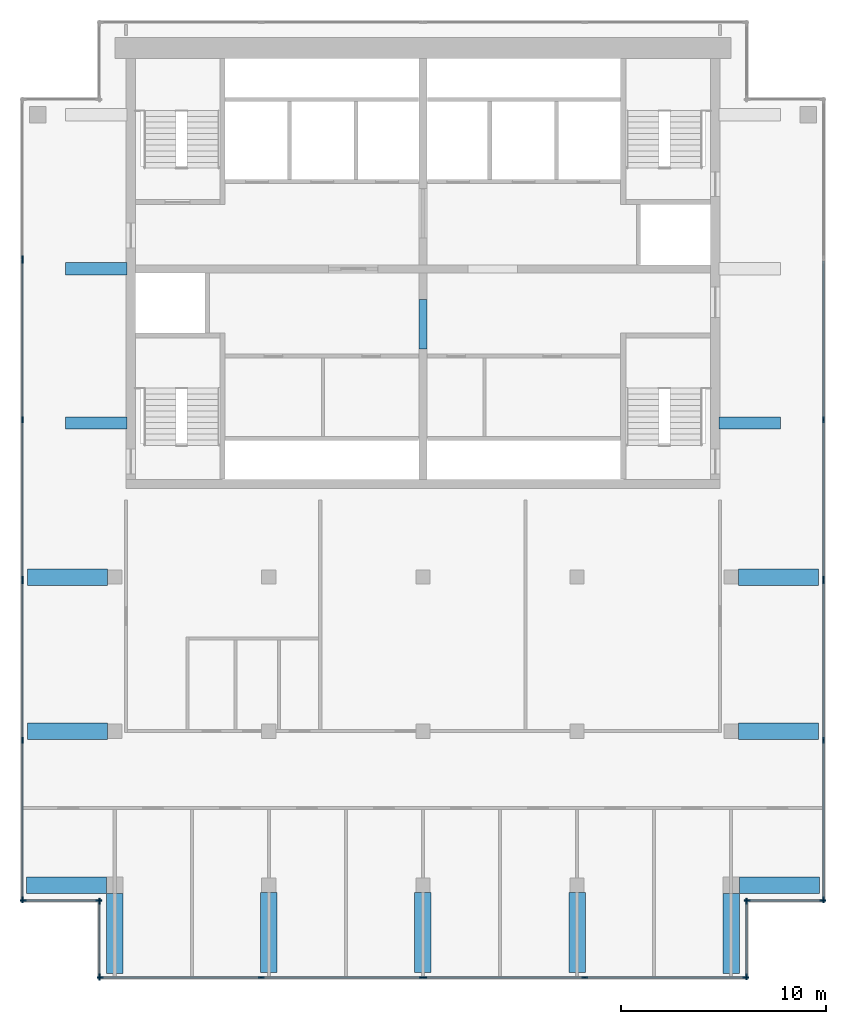
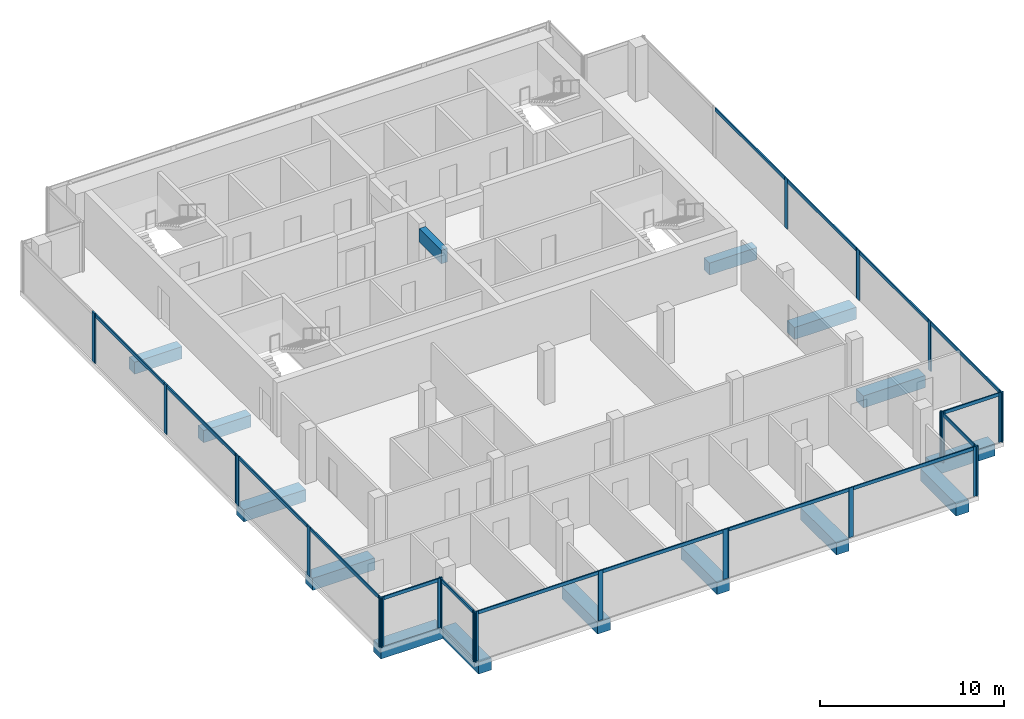
# One storey, part 2 of 8: 42 members, 15 beams, 11 elements without a shape of their own.
"""IFC4 building model written with IfcOpenShell, lengths in metres."""

from ifc_helpers import new_model, si_unit, direction, frame, origin, origin_2d, place, context, subcontext, project, spatial, rectangle, extrude, material, material_profile, profile_set, type_object, element, aggregate, save


model = new_model("IFC4")

# Units and contexts
model_context = context("Model", 3, precision=1e-05, world=origin(), true_north=direction((0.0, 1.0)))
body_context = subcontext(model_context, "Body", "Model", "MODEL_VIEW")
ifc_project = project(units=[si_unit("LENGTHUNIT", "METRE"), si_unit("AREAUNIT", "SQUARE_METRE"), si_unit("VOLUMEUNIT", "CUBIC_METRE"), si_unit("PLANEANGLEUNIT", "RADIAN"), si_unit("MASSUNIT", "GRAM", prefix="KILO")], contexts=[model_context])

# Site, building, storey
site_placement = place(None, origin())
site = spatial("IfcSite", under=ifc_project, at=site_placement, CompositionType="ELEMENT")
building_placement = place(site_placement, origin())
building = spatial("IfcBuilding", under=site, at=building_placement, Name="Pilkhan Gate Tower", CompositionType="ELEMENT")
storey_placement = place(building_placement, frame((0.0, 0.0, 269.300048828125)))
storey = spatial("IfcBuildingStorey", under=building, at=storey_placement, Name="L70", CompositionType="ELEMENT", Elevation=269.300048828125)

# Beams
ifc_material_1 = material(Name="Concrete C50/60", Category="concrete")
ifc_material_profile_1 = material_profile(ifc_material_1, rectangle(XDim=0.60009765625, YDim=0.800048828125, at=origin_2d()), Name="RC 600x800")
ifc_profile_set_1 = profile_set([ifc_material_profile_1], Name="Concrete C50/60")
beam_type_1 = type_object("IfcBeamType", Name="Cantilever beam CB1 RC 600x800 C50/60", PredefinedType="BEAM", material=ifc_profile_set_1)
for number, where, z_axis, x_axis, name in (
    (1, (89.39990234375, 75.0, -0.699951171875), (1.0, 0.0, 0.0), (0.0, 1.0, 0.0), "Crown cantilever beam E9 L70"),
    (2, (60.60009765625, 75.0, -0.699951171875), (-1.0, 0.0, 0.0), (0.0, -1.0, 0.0), "Crown cantilever beam W15 L70"),
    (3, (60.60009765625, 82.5, -0.699951171875), (-1.0, 0.0, 0.0), (0.0, -1.0, 0.0), "Crown cantilever beam W16 L70"),
):
    element("IfcBeam", number, at=place(storey_placement, frame(where, z_axis=z_axis, x_axis=x_axis)), inside=storey, type_object=beam_type_1, Name=name, PredefinedType="BEAM", context=body_context, shape_type="SweptSolid", body=[
        extrude(rectangle(XDim=0.60009765625, YDim=0.800048828125, at=origin_2d()), origin(), (0.0, 0.0, 1.0), 3.0),
    ])
ifc_material_profile_2 = material_profile(ifc_material_1, rectangle(XDim=0.800048828125, YDim=0.800048828125, at=origin_2d()), Name="RC 800x800")
ifc_profile_set_2 = profile_set([ifc_material_profile_2], Name="Concrete C50/60")
beam_type_2 = type_object("IfcBeamType", Name="Cantilever beam CB2 RC 800x800 C50/60", PredefinedType="BEAM", material=ifc_profile_set_2)
beam_1_placement = place(storey_placement, frame((60.0, 52.10009765625, -0.699951171875), z_axis=(0.0, -1.0, 0.0), x_axis=(1.0, 0.0, 0.0)))
element("IfcBeam", 4, at=beam_1_placement, inside=storey, type_object=beam_type_2, Name="Crown cantilever beam S1 L70", PredefinedType="BEAM", context=body_context, shape_type="SweptSolid", body=[
    extrude(rectangle(XDim=0.800048828125, YDim=0.800048828125, at=origin_2d()), origin(), (0.0, 0.0, 1.0), 3.900146484375),
])
for number, where, z_axis, x_axis, name in (
    (5, (67.5, 52.14990234375, -0.699951171875), (0.0, -1.0, 0.0), (1.0, 0.0, 0.0), "Crown cantilever beam S2 L70"),
    (6, (75.0, 52.14990234375, -0.699951171875), (0.0, -1.0, 0.0), (1.0, 0.0, 0.0), "Crown cantilever beam S3 L70"),
    (7, (82.5, 52.14990234375, -0.699951171875), (0.0, -1.0, 0.0), (1.0, 0.0, 0.0), "Crown cantilever beam S4 L70"),
):
    element("IfcBeam", number, at=place(storey_placement, frame(where, z_axis=z_axis, x_axis=x_axis)), inside=storey, type_object=beam_type_2, Name=name, PredefinedType="BEAM", context=body_context, shape_type="SweptSolid", body=[
        extrude(rectangle(XDim=0.800048828125, YDim=0.800048828125, at=origin_2d()), origin(), (0.0, 0.0, 1.0), 3.89990234375),
    ])
for number, where, z_axis, x_axis, name in (
    (8, (90.0, 52.10009765625, -0.699951171875), (0.0, -1.0, 0.0), (1.0, 0.0, 0.0), "Crown cantilever beam S5 L70"),
    (9, (90.39990234375, 52.5, -0.699951171875), (1.0, 0.0, 0.0), (0.0, 1.0, 0.0), "Crown cantilever beam E6 L70"),
):
    element("IfcBeam", number, at=place(storey_placement, frame(where, z_axis=z_axis, x_axis=x_axis)), inside=storey, type_object=beam_type_2, Name=name, PredefinedType="BEAM", context=body_context, shape_type="SweptSolid", body=[
        extrude(rectangle(XDim=0.800048828125, YDim=0.800048828125, at=origin_2d()), origin(), (0.0, 0.0, 1.0), 3.900146484375),
    ])
for number, where, z_axis, x_axis, name in (
    (10, (90.35009765625, 60.0, -0.699951171875), (1.0, 0.0, 0.0), (0.0, 1.0, 0.0), "Crown cantilever beam E7 L70"),
    (11, (90.35009765625, 67.5, -0.699951171875), (1.0, 0.0, 0.0), (0.0, 1.0, 0.0), "Crown cantilever beam E8 L70"),
):
    element("IfcBeam", number, at=place(storey_placement, frame(where, z_axis=z_axis, x_axis=x_axis)), inside=storey, type_object=beam_type_2, Name=name, PredefinedType="BEAM", context=body_context, shape_type="SweptSolid", body=[
        extrude(rectangle(XDim=0.800048828125, YDim=0.800048828125, at=origin_2d()), origin(), (0.0, 0.0, 1.0), 3.89990234375),
    ])
beam_2_placement = place(storey_placement, frame((59.60009765625, 52.5, -0.699951171875), z_axis=(-1.0, 0.0, 0.0), x_axis=(0.0, -1.0, 0.0)))
element("IfcBeam", 12, at=beam_2_placement, inside=storey, type_object=beam_type_2, Name="Crown cantilever beam W12 L70", PredefinedType="BEAM", context=body_context, shape_type="SweptSolid", body=[
    extrude(rectangle(XDim=0.800048828125, YDim=0.800048828125, at=origin_2d()), origin(), (0.0, 0.0, 1.0), 3.900146484375),
])
for number, where, z_axis, x_axis, name in (
    (13, (59.64990234375, 60.0, -0.699951171875), (-1.0, 0.0, 0.0), (0.0, -1.0, 0.0), "Crown cantilever beam W13 L70"),
    (14, (59.64990234375, 67.5, -0.699951171875), (-1.0, 0.0, 0.0), (0.0, -1.0, 0.0), "Crown cantilever beam W14 L70"),
):
    element("IfcBeam", number, at=place(storey_placement, frame(where, z_axis=z_axis, x_axis=x_axis)), inside=storey, type_object=beam_type_2, Name=name, PredefinedType="BEAM", context=body_context, shape_type="SweptSolid", body=[
        extrude(rectangle(XDim=0.800048828125, YDim=0.800048828125, at=origin_2d()), origin(), (0.0, 0.0, 1.0), 3.89990234375),
    ])
ifc_material_profile_3 = material_profile(ifc_material_1, rectangle(XDim=0.39990234375, YDim=0.89990234375, at=origin_2d()), Name="RC 400x900")
ifc_profile_set_3 = profile_set([ifc_material_profile_3], Name="Concrete C50/60")
beam_type_3 = type_object("IfcBeamType", Name="Coupling beam CB90-4 RC 400x900 C50/60", PredefinedType="LINTEL", material=ifc_profile_set_3)
beam_3_placement = place(storey_placement, frame((75.0, 78.60009765625, 2.849853515625), z_axis=(0.0, 1.0, 0.0), x_axis=(-1.0, 0.0, 0.0)))
element("IfcBeam", 15, at=beam_3_placement, inside=storey, type_object=beam_type_3, Name="Coupling beam 3 L70", PredefinedType="LINTEL", context=body_context, shape_type="SweptSolid", body=[
    extrude(rectangle(XDim=0.39990234375, YDim=0.89990234375, at=origin_2d()), origin(), (0.0, 0.0, 1.0), 2.39990234375),
])

# Curtain wall, members
ifc_material_2 = material(Name="Pale anodised aluminium, clear low-iron double glazing", Category="aluminium")
curtain_wall_type = type_object("IfcCurtainWallType", Name="Crown unitised curtain wall CW-C", PredefinedType="USERDEFINED", material=ifc_material_2)
curtain_wall_1_placement = place(storey_placement, origin())
curtain_wall_1 = element("IfcCurtainWall", 16, at=curtain_wall_1_placement, inside=storey, type_object=curtain_wall_type, Name="Crown unitised curtain wall CW-C L70 E", ObjectType="UNITISED CURTAIN WALL", PredefinedType="USERDEFINED")
ifc_material_3 = material(Name="Pale anodised aluminium", Category="aluminium")
ifc_material_profile_4 = material_profile(ifc_material_3, rectangle(XDim=0.074951171875, YDim=0.300048828125, at=origin_2d()), Name="Mullion 300x75")
ifc_profile_set_4 = profile_set([ifc_material_profile_4], Name="Pale anodised aluminium")
member_type_1 = type_object("IfcMemberType", Name="Mullion CW-C 300x75", PredefinedType="MULLION", material=ifc_profile_set_4)
member_1_placement = place(storey_placement, frame((94.5, 51.78759765625, 0.0), z_axis=(0.0, 0.0, 1.0), x_axis=(-1.0, 0.0, 0.0)))
member_1 = element("IfcMember", 17, at=member_1_placement, type_object=member_type_1, Name="CW-C mullion 1", PredefinedType="MULLION", context=body_context, shape_type="SweptSolid", body=[
    extrude(rectangle(XDim=0.074951171875, YDim=0.300048828125, at=origin_2d()), origin(), (0.0, 0.0, 1.0), 3.300048828125),
])
member_2_placement = place(storey_placement, frame((94.5, 59.550048828125, 0.0), z_axis=(0.0, 0.0, 1.0), x_axis=(-1.0, 0.0, 0.0)))
member_2 = element("IfcMember", 18, at=member_2_placement, type_object=member_type_1, Name="CW-C mullion 2", PredefinedType="MULLION", context=body_context, shape_type="SweptSolid", body=[
    extrude(rectangle(XDim=0.074951171875, YDim=0.300048828125, at=origin_2d()), origin(), (0.0, 0.0, 1.0), 3.300048828125),
])
member_3_placement = place(storey_placement, frame((94.5, 67.3125, 0.0), z_axis=(0.0, 0.0, 1.0), x_axis=(-1.0, 0.0, 0.0)))
member_3 = element("IfcMember", 19, at=member_3_placement, type_object=member_type_1, Name="CW-C mullion 3", PredefinedType="MULLION", context=body_context, shape_type="SweptSolid", body=[
    extrude(rectangle(XDim=0.074951171875, YDim=0.300048828125, at=origin_2d()), origin(), (0.0, 0.0, 1.0), 3.300048828125),
])

curtain_wall_2_placement = place(storey_placement, origin())
curtain_wall_2 = element("IfcCurtainWall", 20, at=curtain_wall_2_placement, inside=storey, type_object=curtain_wall_type, Name="Crown unitised curtain wall CW-C L70 E", ObjectType="UNITISED CURTAIN WALL", PredefinedType="USERDEFINED")
member_4_placement = place(storey_placement, frame((94.5, 67.387451171875, 0.0), z_axis=(0.0, 0.0, 1.0), x_axis=(-1.0, 0.0, 0.0)))
member_4 = element("IfcMember", 21, at=member_4_placement, type_object=member_type_1, Name="CW-C mullion 1", PredefinedType="MULLION", context=body_context, shape_type="SweptSolid", body=[
    extrude(rectangle(XDim=0.074951171875, YDim=0.300048828125, at=origin_2d()), origin(), (0.0, 0.0, 1.0), 3.300048828125),
])
member_5_placement = place(storey_placement, frame((94.5, 75.14990234375, 0.0), z_axis=(0.0, 0.0, 1.0), x_axis=(-1.0, 0.0, 0.0)))
member_5 = element("IfcMember", 22, at=member_5_placement, type_object=member_type_1, Name="CW-C mullion 2", PredefinedType="MULLION", context=body_context, shape_type="SweptSolid", body=[
    extrude(rectangle(XDim=0.074951171875, YDim=0.300048828125, at=origin_2d()), origin(), (0.0, 0.0, 1.0), 3.300048828125),
])

curtain_wall_3_placement = place(storey_placement, origin())
curtain_wall_3 = element("IfcCurtainWall", 23, at=curtain_wall_3_placement, inside=storey, type_object=curtain_wall_type, Name="Crown unitised curtain wall CW-C L70 W", ObjectType="UNITISED CURTAIN WALL", PredefinedType="USERDEFINED")
member_6_placement = place(storey_placement, frame((55.5, 51.78759765625, 0.0), z_axis=(0.0, 0.0, 1.0), x_axis=(-1.0, 0.0, 0.0)))
member_6 = element("IfcMember", 24, at=member_6_placement, type_object=member_type_1, Name="CW-C mullion 1", PredefinedType="MULLION", context=body_context, shape_type="SweptSolid", body=[
    extrude(rectangle(XDim=0.074951171875, YDim=0.300048828125, at=origin_2d()), origin(), (0.0, 0.0, 1.0), 3.300048828125),
])
member_7_placement = place(storey_placement, frame((55.5, 59.550048828125, 0.0), z_axis=(0.0, 0.0, 1.0), x_axis=(-1.0, 0.0, 0.0)))
member_7 = element("IfcMember", 25, at=member_7_placement, type_object=member_type_1, Name="CW-C mullion 2", PredefinedType="MULLION", context=body_context, shape_type="SweptSolid", body=[
    extrude(rectangle(XDim=0.074951171875, YDim=0.300048828125, at=origin_2d()), origin(), (0.0, 0.0, 1.0), 3.300048828125),
])
member_8_placement = place(storey_placement, frame((55.5, 67.3125, 0.0), z_axis=(0.0, 0.0, 1.0), x_axis=(-1.0, 0.0, 0.0)))
member_8 = element("IfcMember", 26, at=member_8_placement, type_object=member_type_1, Name="CW-C mullion 3", PredefinedType="MULLION", context=body_context, shape_type="SweptSolid", body=[
    extrude(rectangle(XDim=0.074951171875, YDim=0.300048828125, at=origin_2d()), origin(), (0.0, 0.0, 1.0), 3.300048828125),
])

curtain_wall_4_placement = place(storey_placement, origin())
curtain_wall_4 = element("IfcCurtainWall", 27, at=curtain_wall_4_placement, inside=storey, type_object=curtain_wall_type, Name="Crown unitised curtain wall CW-C L70 W", ObjectType="UNITISED CURTAIN WALL", PredefinedType="USERDEFINED")
member_9_placement = place(storey_placement, frame((55.5, 67.387451171875, 0.0), z_axis=(0.0, 0.0, 1.0), x_axis=(-1.0, 0.0, 0.0)))
member_9 = element("IfcMember", 28, at=member_9_placement, type_object=member_type_1, Name="CW-C mullion 1", PredefinedType="MULLION", context=body_context, shape_type="SweptSolid", body=[
    extrude(rectangle(XDim=0.074951171875, YDim=0.300048828125, at=origin_2d()), origin(), (0.0, 0.0, 1.0), 3.300048828125),
])
member_10_placement = place(storey_placement, frame((55.5, 75.14990234375, 0.0), z_axis=(0.0, 0.0, 1.0), x_axis=(-1.0, 0.0, 0.0)))
member_10 = element("IfcMember", 29, at=member_10_placement, type_object=member_type_1, Name="CW-C mullion 2", PredefinedType="MULLION", context=body_context, shape_type="SweptSolid", body=[
    extrude(rectangle(XDim=0.074951171875, YDim=0.300048828125, at=origin_2d()), origin(), (0.0, 0.0, 1.0), 3.300048828125),
])
member_11_placement = place(storey_placement, frame((55.5, 82.91259765625, 0.0), z_axis=(0.0, 0.0, 1.0), x_axis=(-1.0, 0.0, 0.0)))
member_11 = element("IfcMember", 30, at=member_11_placement, type_object=member_type_1, Name="CW-C mullion 3", PredefinedType="MULLION", context=body_context, shape_type="SweptSolid", body=[
    extrude(rectangle(XDim=0.074951171875, YDim=0.300048828125, at=origin_2d()), origin(), (0.0, 0.0, 1.0), 3.300048828125),
])

# Curtain wall, member
curtain_wall_5_placement = place(storey_placement, origin())
curtain_wall_5 = element("IfcCurtainWall", 31, at=curtain_wall_5_placement, inside=storey, type_object=curtain_wall_type, Name="Crown unitised curtain wall CW-C L70 W", ObjectType="UNITISED CURTAIN WALL", PredefinedType="USERDEFINED")
member_12_placement = place(storey_placement, frame((55.5, 82.987548828125, 0.0), z_axis=(0.0, 0.0, 1.0), x_axis=(-1.0, 0.0, 0.0)))
member_12 = element("IfcMember", 32, at=member_12_placement, type_object=member_type_1, Name="CW-C mullion 1", PredefinedType="MULLION", context=body_context, shape_type="SweptSolid", body=[
    extrude(rectangle(XDim=0.074951171875, YDim=0.300048828125, at=origin_2d()), origin(), (0.0, 0.0, 1.0), 3.300048828125),
])
aggregate(curtain_wall_5, [member_12])

# Curtain wall, members
curtain_wall_6_placement = place(storey_placement, origin())
curtain_wall_6 = element("IfcCurtainWall", 33, at=curtain_wall_6_placement, inside=storey, type_object=curtain_wall_type, Name="Crown unitised curtain wall CW-C L70 S", ObjectType="UNITISED CURTAIN WALL", PredefinedType="USERDEFINED")
member_13_placement = place(storey_placement, frame((55.53759765625, 51.75, 0.0), z_axis=(0.0, 0.0, 1.0), x_axis=(0.0, 1.0, 0.0)))
member_13 = element("IfcMember", 34, at=member_13_placement, type_object=member_type_1, Name="CW-C mullion 1", PredefinedType="MULLION", context=body_context, shape_type="SweptSolid", body=[
    extrude(rectangle(XDim=0.074951171875, YDim=0.300048828125, at=origin_2d()), origin(), (0.0, 0.0, 1.0), 3.300048828125),
])
member_14_placement = place(storey_placement, frame((59.21240234375, 51.75, 0.0), z_axis=(0.0, 0.0, 1.0), x_axis=(0.0, 1.0, 0.0)))
member_14 = element("IfcMember", 35, at=member_14_placement, type_object=member_type_1, Name="CW-C mullion 2", PredefinedType="MULLION", context=body_context, shape_type="SweptSolid", body=[
    extrude(rectangle(XDim=0.074951171875, YDim=0.300048828125, at=origin_2d()), origin(), (0.0, 0.0, 1.0), 3.300048828125),
])

curtain_wall_7_placement = place(storey_placement, origin())
curtain_wall_7 = element("IfcCurtainWall", 36, at=curtain_wall_7_placement, inside=storey, type_object=curtain_wall_type, Name="Crown unitised curtain wall CW-C L70 W", ObjectType="UNITISED CURTAIN WALL", PredefinedType="USERDEFINED")
member_15_placement = place(storey_placement, frame((59.25, 48.03759765625, 0.0), z_axis=(0.0, 0.0, 1.0), x_axis=(-1.0, 0.0, 0.0)))
member_15 = element("IfcMember", 37, at=member_15_placement, type_object=member_type_1, Name="CW-C mullion 1", PredefinedType="MULLION", context=body_context, shape_type="SweptSolid", body=[
    extrude(rectangle(XDim=0.074951171875, YDim=0.300048828125, at=origin_2d()), origin(), (0.0, 0.0, 1.0), 3.300048828125),
])
member_16_placement = place(storey_placement, frame((59.25, 51.71240234375, 0.0), z_axis=(0.0, 0.0, 1.0), x_axis=(-1.0, 0.0, 0.0)))
member_16 = element("IfcMember", 38, at=member_16_placement, type_object=member_type_1, Name="CW-C mullion 2", PredefinedType="MULLION", context=body_context, shape_type="SweptSolid", body=[
    extrude(rectangle(XDim=0.074951171875, YDim=0.300048828125, at=origin_2d()), origin(), (0.0, 0.0, 1.0), 3.300048828125),
])

curtain_wall_8_placement = place(storey_placement, origin())
curtain_wall_8 = element("IfcCurtainWall", 39, at=curtain_wall_8_placement, inside=storey, type_object=curtain_wall_type, Name="Crown unitised curtain wall CW-C L70 S", ObjectType="UNITISED CURTAIN WALL", PredefinedType="USERDEFINED")
member_17_placement = place(storey_placement, frame((59.28759765625, 48.0, 0.0), z_axis=(0.0, 0.0, 1.0), x_axis=(0.0, 1.0, 0.0)))
member_17 = element("IfcMember", 40, at=member_17_placement, type_object=member_type_1, Name="CW-C mullion 1", PredefinedType="MULLION", context=body_context, shape_type="SweptSolid", body=[
    extrude(rectangle(XDim=0.074951171875, YDim=0.300048828125, at=origin_2d()), origin(), (0.0, 0.0, 1.0), 3.300048828125),
])
member_18_placement = place(storey_placement, frame((67.125, 48.0, 0.0), z_axis=(0.0, 0.0, 1.0), x_axis=(0.0, 1.0, 0.0)))
member_18 = element("IfcMember", 41, at=member_18_placement, type_object=member_type_1, Name="CW-C mullion 2", PredefinedType="MULLION", context=body_context, shape_type="SweptSolid", body=[
    extrude(rectangle(XDim=0.074951171875, YDim=0.300048828125, at=origin_2d()), origin(), (0.0, 0.0, 1.0), 3.300048828125),
])
member_19_placement = place(storey_placement, frame((74.96240234375, 48.0, 0.0), z_axis=(0.0, 0.0, 1.0), x_axis=(0.0, 1.0, 0.0)))
member_19 = element("IfcMember", 42, at=member_19_placement, type_object=member_type_1, Name="CW-C mullion 3", PredefinedType="MULLION", context=body_context, shape_type="SweptSolid", body=[
    extrude(rectangle(XDim=0.074951171875, YDim=0.300048828125, at=origin_2d()), origin(), (0.0, 0.0, 1.0), 3.300048828125),
])

curtain_wall_9_placement = place(storey_placement, origin())
curtain_wall_9 = element("IfcCurtainWall", 43, at=curtain_wall_9_placement, inside=storey, type_object=curtain_wall_type, Name="Crown unitised curtain wall CW-C L70 S", ObjectType="UNITISED CURTAIN WALL", PredefinedType="USERDEFINED")
member_20_placement = place(storey_placement, frame((75.03759765625, 48.0, 0.0), z_axis=(0.0, 0.0, 1.0), x_axis=(0.0, 1.0, 0.0)))
member_20 = element("IfcMember", 44, at=member_20_placement, type_object=member_type_1, Name="CW-C mullion 1", PredefinedType="MULLION", context=body_context, shape_type="SweptSolid", body=[
    extrude(rectangle(XDim=0.074951171875, YDim=0.300048828125, at=origin_2d()), origin(), (0.0, 0.0, 1.0), 3.300048828125),
])
member_21_placement = place(storey_placement, frame((82.875, 48.0, 0.0), z_axis=(0.0, 0.0, 1.0), x_axis=(0.0, 1.0, 0.0)))
member_21 = element("IfcMember", 45, at=member_21_placement, type_object=member_type_1, Name="CW-C mullion 2", PredefinedType="MULLION", context=body_context, shape_type="SweptSolid", body=[
    extrude(rectangle(XDim=0.074951171875, YDim=0.300048828125, at=origin_2d()), origin(), (0.0, 0.0, 1.0), 3.300048828125),
])
member_22_placement = place(storey_placement, frame((90.71240234375, 48.0, 0.0), z_axis=(0.0, 0.0, 1.0), x_axis=(0.0, 1.0, 0.0)))
member_22 = element("IfcMember", 46, at=member_22_placement, type_object=member_type_1, Name="CW-C mullion 3", PredefinedType="MULLION", context=body_context, shape_type="SweptSolid", body=[
    extrude(rectangle(XDim=0.074951171875, YDim=0.300048828125, at=origin_2d()), origin(), (0.0, 0.0, 1.0), 3.300048828125),
])

curtain_wall_10_placement = place(storey_placement, origin())
curtain_wall_10 = element("IfcCurtainWall", 47, at=curtain_wall_10_placement, inside=storey, type_object=curtain_wall_type, Name="Crown unitised curtain wall CW-C L70 E", ObjectType="UNITISED CURTAIN WALL", PredefinedType="USERDEFINED")
member_23_placement = place(storey_placement, frame((90.75, 48.03759765625, 0.0), z_axis=(0.0, 0.0, 1.0), x_axis=(-1.0, 0.0, 0.0)))
member_23 = element("IfcMember", 48, at=member_23_placement, type_object=member_type_1, Name="CW-C mullion 1", PredefinedType="MULLION", context=body_context, shape_type="SweptSolid", body=[
    extrude(rectangle(XDim=0.074951171875, YDim=0.300048828125, at=origin_2d()), origin(), (0.0, 0.0, 1.0), 3.300048828125),
])
member_24_placement = place(storey_placement, frame((90.75, 51.71240234375, 0.0), z_axis=(0.0, 0.0, 1.0), x_axis=(-1.0, 0.0, 0.0)))
member_24 = element("IfcMember", 49, at=member_24_placement, type_object=member_type_1, Name="CW-C mullion 2", PredefinedType="MULLION", context=body_context, shape_type="SweptSolid", body=[
    extrude(rectangle(XDim=0.074951171875, YDim=0.300048828125, at=origin_2d()), origin(), (0.0, 0.0, 1.0), 3.300048828125),
])

curtain_wall_11_placement = place(storey_placement, origin())
curtain_wall_11 = element("IfcCurtainWall", 50, at=curtain_wall_11_placement, inside=storey, type_object=curtain_wall_type, Name="Crown unitised curtain wall CW-C L70 S", ObjectType="UNITISED CURTAIN WALL", PredefinedType="USERDEFINED")
member_25_placement = place(storey_placement, frame((90.78759765625, 51.75, 0.0), z_axis=(0.0, 0.0, 1.0), x_axis=(0.0, 1.0, 0.0)))
member_25 = element("IfcMember", 51, at=member_25_placement, type_object=member_type_1, Name="CW-C mullion 1", PredefinedType="MULLION", context=body_context, shape_type="SweptSolid", body=[
    extrude(rectangle(XDim=0.074951171875, YDim=0.300048828125, at=origin_2d()), origin(), (0.0, 0.0, 1.0), 3.300048828125),
])
member_26_placement = place(storey_placement, frame((94.46240234375, 51.75, 0.0), z_axis=(0.0, 0.0, 1.0), x_axis=(0.0, 1.0, 0.0)))
member_26 = element("IfcMember", 52, at=member_26_placement, type_object=member_type_1, Name="CW-C mullion 2", PredefinedType="MULLION", context=body_context, shape_type="SweptSolid", body=[
    extrude(rectangle(XDim=0.074951171875, YDim=0.300048828125, at=origin_2d()), origin(), (0.0, 0.0, 1.0), 3.300048828125),
])

# Member
ifc_material_profile_5 = material_profile(ifc_material_3, rectangle(XDim=0.074951171875, YDim=0.219970703125, at=origin_2d()), Name="Transom 220x75")
ifc_profile_set_5 = profile_set([ifc_material_profile_5], Name="Pale anodised aluminium")
member_type_2 = type_object("IfcMemberType", Name="Transom CW-C 220x75", PredefinedType="USERDEFINED", material=ifc_profile_set_5)
member_27_placement = place(storey_placement, frame((94.5, 51.824951171875, 3.18994140625), z_axis=(0.0, 1.0, 0.0), x_axis=(-1.0, 0.0, 0.0)))
member_27 = element("IfcMember", 53, at=member_27_placement, type_object=member_type_2, Name="CW-C transom 1", ObjectType="TRANSOM", PredefinedType="USERDEFINED", context=body_context, shape_type="SweptSolid", body=[
    extrude(rectangle(XDim=0.074951171875, YDim=0.219970703125, at=origin_2d()), origin(), (0.0, 0.0, 1.0), 7.6875),
])

member_28_placement = place(storey_placement, frame((94.5, 59.58740234375, 3.18994140625), z_axis=(0.0, 1.0, 0.0), x_axis=(-1.0, 0.0, 0.0)))
member_28 = element("IfcMember", 54, at=member_28_placement, type_object=member_type_2, Name="CW-C transom 2", ObjectType="TRANSOM", PredefinedType="USERDEFINED", context=body_context, shape_type="SweptSolid", body=[
    extrude(rectangle(XDim=0.074951171875, YDim=0.219970703125, at=origin_2d()), origin(), (0.0, 0.0, 1.0), 7.6875),
])

aggregate(curtain_wall_1, [member_1, member_2, member_3, member_27, member_28])

member_29_placement = place(storey_placement, frame((94.5, 67.425048828125, 3.18994140625), z_axis=(0.0, 1.0, 0.0), x_axis=(-1.0, 0.0, 0.0)))
member_29 = element("IfcMember", 55, at=member_29_placement, type_object=member_type_2, Name="CW-C transom 1", ObjectType="TRANSOM", PredefinedType="USERDEFINED", context=body_context, shape_type="SweptSolid", body=[
    extrude(rectangle(XDim=0.074951171875, YDim=0.219970703125, at=origin_2d()), origin(), (0.0, 0.0, 1.0), 7.6875),
])

member_30_placement = place(storey_placement, frame((94.5, 75.1875, 3.18994140625), z_axis=(0.0, 1.0, 0.0), x_axis=(-1.0, 0.0, 0.0)))
member_30 = element("IfcMember", 56, at=member_30_placement, type_object=member_type_2, Name="CW-C transom 2", ObjectType="TRANSOM", PredefinedType="USERDEFINED", context=body_context, shape_type="SweptSolid", body=[
    extrude(rectangle(XDim=0.074951171875, YDim=0.219970703125, at=origin_2d()), origin(), (0.0, 0.0, 1.0), 7.6875),
])

aggregate(curtain_wall_2, [member_4, member_5, member_29, member_30])

member_31_placement = place(storey_placement, frame((55.5, 51.824951171875, 3.18994140625), z_axis=(0.0, 1.0, 0.0), x_axis=(-1.0, 0.0, 0.0)))
member_31 = element("IfcMember", 57, at=member_31_placement, type_object=member_type_2, Name="CW-C transom 1", ObjectType="TRANSOM", PredefinedType="USERDEFINED", context=body_context, shape_type="SweptSolid", body=[
    extrude(rectangle(XDim=0.074951171875, YDim=0.219970703125, at=origin_2d()), origin(), (0.0, 0.0, 1.0), 7.6875),
])

member_32_placement = place(storey_placement, frame((55.5, 59.58740234375, 3.18994140625), z_axis=(0.0, 1.0, 0.0), x_axis=(-1.0, 0.0, 0.0)))
member_32 = element("IfcMember", 58, at=member_32_placement, type_object=member_type_2, Name="CW-C transom 2", ObjectType="TRANSOM", PredefinedType="USERDEFINED", context=body_context, shape_type="SweptSolid", body=[
    extrude(rectangle(XDim=0.074951171875, YDim=0.219970703125, at=origin_2d()), origin(), (0.0, 0.0, 1.0), 7.6875),
])

aggregate(curtain_wall_3, [member_6, member_7, member_8, member_31, member_32])

member_33_placement = place(storey_placement, frame((55.5, 67.425048828125, 3.18994140625), z_axis=(0.0, 1.0, 0.0), x_axis=(-1.0, 0.0, 0.0)))
member_33 = element("IfcMember", 59, at=member_33_placement, type_object=member_type_2, Name="CW-C transom 1", ObjectType="TRANSOM", PredefinedType="USERDEFINED", context=body_context, shape_type="SweptSolid", body=[
    extrude(rectangle(XDim=0.074951171875, YDim=0.219970703125, at=origin_2d()), origin(), (0.0, 0.0, 1.0), 7.6875),
])

member_34_placement = place(storey_placement, frame((55.5, 75.1875, 3.18994140625), z_axis=(0.0, 1.0, 0.0), x_axis=(-1.0, 0.0, 0.0)))
member_34 = element("IfcMember", 60, at=member_34_placement, type_object=member_type_2, Name="CW-C transom 2", ObjectType="TRANSOM", PredefinedType="USERDEFINED", context=body_context, shape_type="SweptSolid", body=[
    extrude(rectangle(XDim=0.074951171875, YDim=0.219970703125, at=origin_2d()), origin(), (0.0, 0.0, 1.0), 7.6875),
])

aggregate(curtain_wall_4, [member_9, member_10, member_11, member_33, member_34])

member_35_placement = place(storey_placement, frame((55.574951171875, 51.75, 3.18994140625), z_axis=(1.0, 0.0, 0.0), x_axis=(0.0, 1.0, 0.0)))
member_35 = element("IfcMember", 61, at=member_35_placement, type_object=member_type_2, Name="CW-C transom 1", ObjectType="TRANSOM", PredefinedType="USERDEFINED", context=body_context, shape_type="SweptSolid", body=[
    extrude(rectangle(XDim=0.074951171875, YDim=0.219970703125, at=origin_2d()), origin(), (0.0, 0.0, 1.0), 3.60009765625),
])

aggregate(curtain_wall_6, [member_13, member_14, member_35])

member_36_placement = place(storey_placement, frame((59.25, 48.074951171875, 3.18994140625), z_axis=(0.0, 1.0, 0.0), x_axis=(-1.0, 0.0, 0.0)))
member_36 = element("IfcMember", 62, at=member_36_placement, type_object=member_type_2, Name="CW-C transom 1", ObjectType="TRANSOM", PredefinedType="USERDEFINED", context=body_context, shape_type="SweptSolid", body=[
    extrude(rectangle(XDim=0.074951171875, YDim=0.219970703125, at=origin_2d()), origin(), (0.0, 0.0, 1.0), 3.60009765625),
])

aggregate(curtain_wall_7, [member_15, member_16, member_36])

member_37_placement = place(storey_placement, frame((59.324951171875, 48.0, 3.18994140625), z_axis=(1.0, 0.0, 0.0), x_axis=(0.0, 1.0, 0.0)))
member_37 = element("IfcMember", 63, at=member_37_placement, type_object=member_type_2, Name="CW-C transom 1", ObjectType="TRANSOM", PredefinedType="USERDEFINED", context=body_context, shape_type="SweptSolid", body=[
    extrude(rectangle(XDim=0.074951171875, YDim=0.219970703125, at=origin_2d()), origin(), (0.0, 0.0, 1.0), 7.762451171875),
])

member_38_placement = place(storey_placement, frame((67.16259765625, 48.0, 3.18994140625), z_axis=(1.0, 0.0, 0.0), x_axis=(0.0, 1.0, 0.0)))
member_38 = element("IfcMember", 64, at=member_38_placement, type_object=member_type_2, Name="CW-C transom 2", ObjectType="TRANSOM", PredefinedType="USERDEFINED", context=body_context, shape_type="SweptSolid", body=[
    extrude(rectangle(XDim=0.074951171875, YDim=0.219970703125, at=origin_2d()), origin(), (0.0, 0.0, 1.0), 7.762451171875),
])

aggregate(curtain_wall_8, [member_17, member_18, member_19, member_37, member_38])

member_39_placement = place(storey_placement, frame((75.074951171875, 48.0, 3.18994140625), z_axis=(1.0, 0.0, 0.0), x_axis=(0.0, 1.0, 0.0)))
member_39 = element("IfcMember", 65, at=member_39_placement, type_object=member_type_2, Name="CW-C transom 1", ObjectType="TRANSOM", PredefinedType="USERDEFINED", context=body_context, shape_type="SweptSolid", body=[
    extrude(rectangle(XDim=0.074951171875, YDim=0.219970703125, at=origin_2d()), origin(), (0.0, 0.0, 1.0), 7.762451171875),
])

member_40_placement = place(storey_placement, frame((82.91259765625, 48.0, 3.18994140625), z_axis=(1.0, 0.0, 0.0), x_axis=(0.0, 1.0, 0.0)))
member_40 = element("IfcMember", 66, at=member_40_placement, type_object=member_type_2, Name="CW-C transom 2", ObjectType="TRANSOM", PredefinedType="USERDEFINED", context=body_context, shape_type="SweptSolid", body=[
    extrude(rectangle(XDim=0.074951171875, YDim=0.219970703125, at=origin_2d()), origin(), (0.0, 0.0, 1.0), 7.762451171875),
])

aggregate(curtain_wall_9, [member_20, member_21, member_22, member_39, member_40])

member_41_placement = place(storey_placement, frame((90.75, 48.074951171875, 3.18994140625), z_axis=(0.0, 1.0, 0.0), x_axis=(-1.0, 0.0, 0.0)))
member_41 = element("IfcMember", 67, at=member_41_placement, type_object=member_type_2, Name="CW-C transom 1", ObjectType="TRANSOM", PredefinedType="USERDEFINED", context=body_context, shape_type="SweptSolid", body=[
    extrude(rectangle(XDim=0.074951171875, YDim=0.219970703125, at=origin_2d()), origin(), (0.0, 0.0, 1.0), 3.60009765625),
])

aggregate(curtain_wall_10, [member_23, member_24, member_41])

member_42_placement = place(storey_placement, frame((90.824951171875, 51.75, 3.18994140625), z_axis=(1.0, 0.0, 0.0), x_axis=(0.0, 1.0, 0.0)))
member_42 = element("IfcMember", 68, at=member_42_placement, type_object=member_type_2, Name="CW-C transom 1", ObjectType="TRANSOM", PredefinedType="USERDEFINED", context=body_context, shape_type="SweptSolid", body=[
    extrude(rectangle(XDim=0.074951171875, YDim=0.219970703125, at=origin_2d()), origin(), (0.0, 0.0, 1.0), 3.60009765625),
])

aggregate(curtain_wall_11, [member_25, member_26, member_42])

save(model, "model.ifc")
